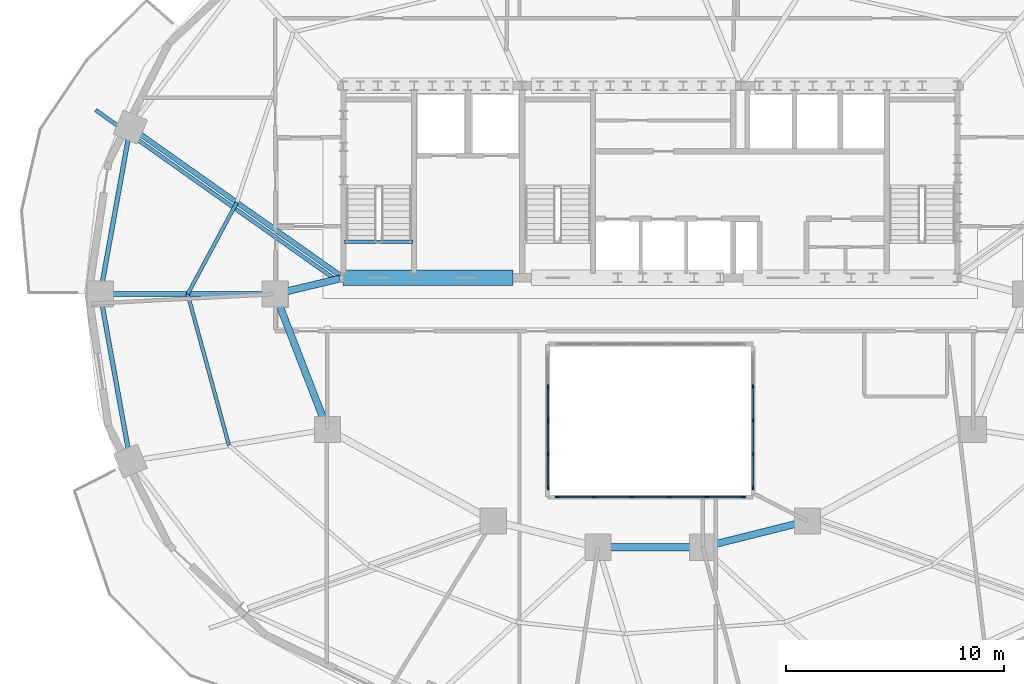
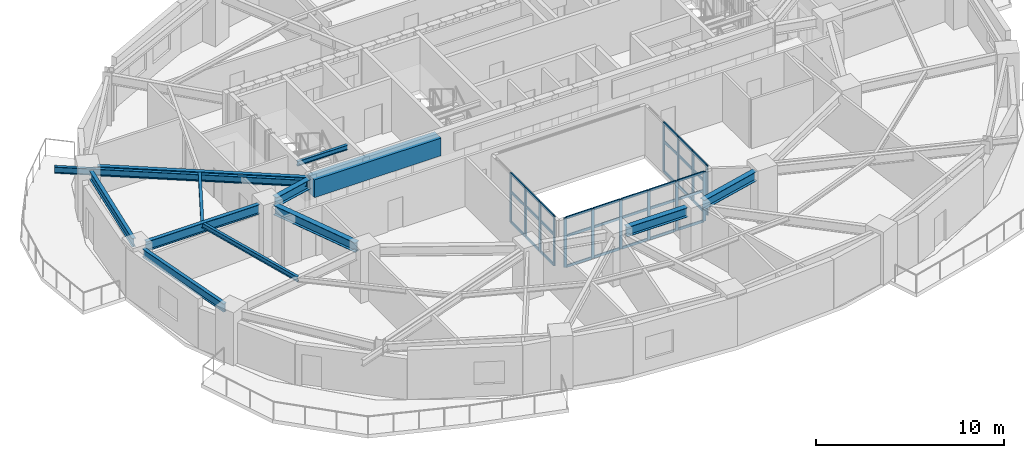
# One storey, part 2 of 11: 47 members, 13 beams, 3 elements without a shape of their own.
"""IFC4 building model written with IfcOpenShell, lengths in metres."""

from ifc_helpers import new_model, si_unit, direction, frame, origin, origin_2d, place, context, subcontext, project, spatial, rectangle, i_section, extrude, material, material_profile, profile_set, type_object, element, aggregate, save


model = new_model("IFC4")

# Units and contexts
model_context = context("Model", 3, precision=1e-05, world=origin(), true_north=direction((0.0, 1.0)))
body_context = subcontext(model_context, "Body", "Model", "MODEL_VIEW")
ifc_project = project(units=[si_unit("LENGTHUNIT", "METRE"), si_unit("AREAUNIT", "SQUARE_METRE"), si_unit("VOLUMEUNIT", "CUBIC_METRE"), si_unit("PLANEANGLEUNIT", "RADIAN"), si_unit("MASSUNIT", "GRAM", prefix="KILO")], contexts=[model_context])

# Site, building, storey
site_placement = place(None, origin())
site = spatial("IfcSite", under=ifc_project, at=site_placement, CompositionType="ELEMENT")
building_placement = place(site_placement, origin())
building = spatial("IfcBuilding", under=site, at=building_placement, Name="Haldorwick Loom Tower", CompositionType="ELEMENT")
storey_placement = place(building_placement, frame((0.0, 0.0, 168.25)))
storey = spatial("IfcBuildingStorey", under=building, at=storey_placement, Name="L45", CompositionType="ELEMENT", Elevation=168.25)

# Curtain wall, members
ifc_material_1 = material(Name="Thermally Broken Anodized Aluminium Curtain Wall Framing", Category="aluminium")
curtain_wall_type = type_object("IfcCurtainWallType", Name="ARC-CW-03", PredefinedType="NOTDEFINED", material=ifc_material_1)
curtain_wall_1_placement = place(storey_placement, origin())
curtain_wall_1 = element("IfcCurtainWall", 1, at=curtain_wall_1_placement, inside=storey, type_object=curtain_wall_type, Name="L45 Atrium Glazed Screen S", PredefinedType="NOTDEFINED")
ifc_material_profile_1 = material_profile(ifc_material_1, rectangle(XDim=0.06591796875, YDim=0.18505859375, at=origin_2d()), Name="ALU_MUL_66X185", Category="aluminium")
ifc_profile_set_1 = profile_set([ifc_material_profile_1], Name="Thermally Broken Anodized Aluminium Curtain Wall Framing")
member_type_1 = type_object("IfcMemberType", Name="ARC-CWM-03", PredefinedType="MULLION", material=ifc_profile_set_1)
member_1_placement = place(storey_placement, frame((40.26708984375, 16.699951171875, 0.0), z_axis=(0.0, 0.0, 1.0), x_axis=(0.0, -1.0, 0.0)))
member_1 = element("IfcMember", 2, at=member_1_placement, type_object=member_type_1, Name="CW-03 mullion 1", PredefinedType="MULLION", context=body_context, shape_type="SweptSolid", body=[
    extrude(rectangle(XDim=0.06591796875, YDim=0.18505859375, at=origin_2d()), origin(), (0.0, 0.0, 1.0), 3.2099609375),
])
member_2_placement = place(storey_placement, frame((38.580078125, 16.699951171875, 0.0), z_axis=(0.0, 0.0, 1.0), x_axis=(0.0, -1.0, 0.0)))
member_2 = element("IfcMember", 3, at=member_2_placement, type_object=member_type_1, Name="CW-03 mullion 2", PredefinedType="MULLION", context=body_context, shape_type="SweptSolid", body=[
    extrude(rectangle(XDim=0.06591796875, YDim=0.18505859375, at=origin_2d()), origin(), (0.0, 0.0, 1.0), 3.2099609375),
])
member_3_placement = place(storey_placement, frame((36.860107421875, 16.699951171875, 0.0), z_axis=(0.0, 0.0, 1.0), x_axis=(0.0, -1.0, 0.0)))
member_3 = element("IfcMember", 4, at=member_3_placement, type_object=member_type_1, Name="CW-03 mullion 3", PredefinedType="MULLION", context=body_context, shape_type="SweptSolid", body=[
    extrude(rectangle(XDim=0.06591796875, YDim=0.18505859375, at=origin_2d()), origin(), (0.0, 0.0, 1.0), 3.2099609375),
])
member_4_placement = place(storey_placement, frame((35.139892578125, 16.699951171875, 0.0), z_axis=(0.0, 0.0, 1.0), x_axis=(0.0, -1.0, 0.0)))
member_4 = element("IfcMember", 5, at=member_4_placement, type_object=member_type_1, Name="CW-03 mullion 4", PredefinedType="MULLION", context=body_context, shape_type="SweptSolid", body=[
    extrude(rectangle(XDim=0.06591796875, YDim=0.18505859375, at=origin_2d()), origin(), (0.0, 0.0, 1.0), 3.2099609375),
])
member_5_placement = place(storey_placement, frame((33.419921875, 16.699951171875, 0.0), z_axis=(0.0, 0.0, 1.0), x_axis=(0.0, -1.0, 0.0)))
member_5 = element("IfcMember", 6, at=member_5_placement, type_object=member_type_1, Name="CW-03 mullion 5", PredefinedType="MULLION", context=body_context, shape_type="SweptSolid", body=[
    extrude(rectangle(XDim=0.06591796875, YDim=0.18505859375, at=origin_2d()), origin(), (0.0, 0.0, 1.0), 3.2099609375),
])
member_6_placement = place(storey_placement, frame((31.73291015625, 16.699951171875, 0.0), z_axis=(0.0, 0.0, 1.0), x_axis=(0.0, -1.0, 0.0)))
member_6 = element("IfcMember", 7, at=member_6_placement, type_object=member_type_1, Name="CW-03 mullion 6", PredefinedType="MULLION", context=body_context, shape_type="SweptSolid", body=[
    extrude(rectangle(XDim=0.06591796875, YDim=0.18505859375, at=origin_2d()), origin(), (0.0, 0.0, 1.0), 3.2099609375),
])

curtain_wall_2_placement = place(storey_placement, origin())
curtain_wall_2 = element("IfcCurtainWall", 8, at=curtain_wall_2_placement, inside=storey, type_object=curtain_wall_type, Name="L45 Atrium Glazed Screen W", PredefinedType="NOTDEFINED")
member_7_placement = place(storey_placement, frame((31.300048828125, 17.133056640625, 0.0), z_axis=(0.0, 0.0, 1.0), x_axis=(-1.0, 0.0, 0.0)))
member_7 = element("IfcMember", 9, at=member_7_placement, type_object=member_type_1, Name="CW-03 mullion 1", PredefinedType="MULLION", context=body_context, shape_type="SweptSolid", body=[
    extrude(rectangle(XDim=0.06591796875, YDim=0.18505859375, at=origin_2d()), origin(), (0.0, 0.0, 1.0), 3.2099609375),
])
member_8_placement = place(storey_placement, frame((31.300048828125, 18.64990234375, 0.0), z_axis=(0.0, 0.0, 1.0), x_axis=(-1.0, 0.0, 0.0)))
member_8 = element("IfcMember", 10, at=member_8_placement, type_object=member_type_1, Name="CW-03 mullion 2", PredefinedType="MULLION", context=body_context, shape_type="SweptSolid", body=[
    extrude(rectangle(XDim=0.06591796875, YDim=0.18505859375, at=origin_2d()), origin(), (0.0, 0.0, 1.0), 3.2099609375),
])
member_9_placement = place(storey_placement, frame((31.300048828125, 20.199951171875, 0.0), z_axis=(0.0, 0.0, 1.0), x_axis=(-1.0, 0.0, 0.0)))
member_9 = element("IfcMember", 11, at=member_9_placement, type_object=member_type_1, Name="CW-03 mullion 3", PredefinedType="MULLION", context=body_context, shape_type="SweptSolid", body=[
    extrude(rectangle(XDim=0.06591796875, YDim=0.18505859375, at=origin_2d()), origin(), (0.0, 0.0, 1.0), 3.2099609375),
])
member_10_placement = place(storey_placement, frame((31.300048828125, 21.75, 0.0), z_axis=(0.0, 0.0, 1.0), x_axis=(-1.0, 0.0, 0.0)))
member_10 = element("IfcMember", 12, at=member_10_placement, type_object=member_type_1, Name="CW-03 mullion 4", PredefinedType="MULLION", context=body_context, shape_type="SweptSolid", body=[
    extrude(rectangle(XDim=0.06591796875, YDim=0.18505859375, at=origin_2d()), origin(), (0.0, 0.0, 1.0), 3.2099609375),
])

curtain_wall_3_placement = place(storey_placement, origin())
curtain_wall_3 = element("IfcCurtainWall", 13, at=curtain_wall_3_placement, inside=storey, type_object=curtain_wall_type, Name="L45 Atrium Glazed Screen E", PredefinedType="NOTDEFINED")
member_11_placement = place(storey_placement, frame((40.699951171875, 21.75, 0.0), z_axis=(0.0, 0.0, 1.0), x_axis=(1.0, 0.0, 0.0)))
member_11 = element("IfcMember", 14, at=member_11_placement, type_object=member_type_1, Name="CW-03 mullion 2", PredefinedType="MULLION", context=body_context, shape_type="SweptSolid", body=[
    extrude(rectangle(XDim=0.06591796875, YDim=0.18505859375, at=origin_2d()), origin(), (0.0, 0.0, 1.0), 3.2099609375),
])
member_12_placement = place(storey_placement, frame((40.699951171875, 20.199951171875, 0.0), z_axis=(0.0, 0.0, 1.0), x_axis=(1.0, 0.0, 0.0)))
member_12 = element("IfcMember", 15, at=member_12_placement, type_object=member_type_1, Name="CW-03 mullion 3", PredefinedType="MULLION", context=body_context, shape_type="SweptSolid", body=[
    extrude(rectangle(XDim=0.06591796875, YDim=0.18505859375, at=origin_2d()), origin(), (0.0, 0.0, 1.0), 3.2099609375),
])
member_13_placement = place(storey_placement, frame((40.699951171875, 18.64990234375, 0.0), z_axis=(0.0, 0.0, 1.0), x_axis=(1.0, 0.0, 0.0)))
member_13 = element("IfcMember", 16, at=member_13_placement, type_object=member_type_1, Name="CW-03 mullion 4", PredefinedType="MULLION", context=body_context, shape_type="SweptSolid", body=[
    extrude(rectangle(XDim=0.06591796875, YDim=0.18505859375, at=origin_2d()), origin(), (0.0, 0.0, 1.0), 3.2099609375),
])
member_14_placement = place(storey_placement, frame((40.699951171875, 17.133056640625, 0.0), z_axis=(0.0, 0.0, 1.0), x_axis=(1.0, 0.0, 0.0)))
member_14 = element("IfcMember", 17, at=member_14_placement, type_object=member_type_1, Name="CW-03 mullion 5", PredefinedType="MULLION", context=body_context, shape_type="SweptSolid", body=[
    extrude(rectangle(XDim=0.06591796875, YDim=0.18505859375, at=origin_2d()), origin(), (0.0, 0.0, 1.0), 3.2099609375),
])

# Member
ifc_material_profile_2 = material_profile(ifc_material_1, rectangle(XDim=0.06591796875, YDim=0.1650390625, at=origin_2d()), Name="ALU_TRN_66X165", Category="aluminium")
ifc_profile_set_2 = profile_set([ifc_material_profile_2], Name="Thermally Broken Anodized Aluminium Curtain Wall Framing")
member_type_2 = type_object("IfcMemberType", Name="ARC-CWT-03", PredefinedType="USERDEFINED", material=ifc_profile_set_2)
member_15_placement = place(storey_placement, frame((40.23388671875, 16.699951171875, 0.032958984375), z_axis=(-1.0, 0.0, 0.0), x_axis=(0.0, -1.0, 0.0)))
member_15 = element("IfcMember", 18, at=member_15_placement, type_object=member_type_2, Name="CW-03 transom 1.1", ObjectType="TRANSOM", PredefinedType="USERDEFINED", context=body_context, shape_type="SweptSolid", body=[
    extrude(rectangle(XDim=0.06591796875, YDim=0.1650390625, at=origin_2d()), origin(), (0.0, 0.0, 1.0), 1.620849609375),
])

member_16_placement = place(storey_placement, frame((40.23388671875, 16.699951171875, 2.0), z_axis=(-1.0, 0.0, 0.0), x_axis=(0.0, -1.0, 0.0)))
member_16 = element("IfcMember", 19, at=member_16_placement, type_object=member_type_2, Name="CW-03 transom 1.2", ObjectType="TRANSOM", PredefinedType="USERDEFINED", context=body_context, shape_type="SweptSolid", body=[
    extrude(rectangle(XDim=0.06591796875, YDim=0.1650390625, at=origin_2d()), origin(), (0.0, 0.0, 1.0), 1.620849609375),
])

member_17_placement = place(storey_placement, frame((40.23388671875, 16.699951171875, 3.177001953125), z_axis=(-1.0, 0.0, 0.0), x_axis=(0.0, -1.0, 0.0)))
member_17 = element("IfcMember", 20, at=member_17_placement, type_object=member_type_2, Name="CW-03 transom 1.3", ObjectType="TRANSOM", PredefinedType="USERDEFINED", context=body_context, shape_type="SweptSolid", body=[
    extrude(rectangle(XDim=0.06591796875, YDim=0.1650390625, at=origin_2d()), origin(), (0.0, 0.0, 1.0), 1.620849609375),
])

member_18_placement = place(storey_placement, frame((38.547119140625, 16.699951171875, 0.032958984375), z_axis=(-1.0, 0.0, 0.0), x_axis=(0.0, -1.0, 0.0)))
member_18 = element("IfcMember", 21, at=member_18_placement, type_object=member_type_2, Name="CW-03 transom 2.1", ObjectType="TRANSOM", PredefinedType="USERDEFINED", context=body_context, shape_type="SweptSolid", body=[
    extrude(rectangle(XDim=0.06591796875, YDim=0.1650390625, at=origin_2d()), origin(), (0.0, 0.0, 1.0), 1.654052734375),
])

member_19_placement = place(storey_placement, frame((38.547119140625, 16.699951171875, 2.0), z_axis=(-1.0, 0.0, 0.0), x_axis=(0.0, -1.0, 0.0)))
member_19 = element("IfcMember", 22, at=member_19_placement, type_object=member_type_2, Name="CW-03 transom 2.2", ObjectType="TRANSOM", PredefinedType="USERDEFINED", context=body_context, shape_type="SweptSolid", body=[
    extrude(rectangle(XDim=0.06591796875, YDim=0.1650390625, at=origin_2d()), origin(), (0.0, 0.0, 1.0), 1.654052734375),
])

member_20_placement = place(storey_placement, frame((38.547119140625, 16.699951171875, 3.177001953125), z_axis=(-1.0, 0.0, 0.0), x_axis=(0.0, -1.0, 0.0)))
member_20 = element("IfcMember", 23, at=member_20_placement, type_object=member_type_2, Name="CW-03 transom 2.3", ObjectType="TRANSOM", PredefinedType="USERDEFINED", context=body_context, shape_type="SweptSolid", body=[
    extrude(rectangle(XDim=0.06591796875, YDim=0.1650390625, at=origin_2d()), origin(), (0.0, 0.0, 1.0), 1.654052734375),
])

member_21_placement = place(storey_placement, frame((36.826904296875, 16.699951171875, 0.032958984375), z_axis=(-1.0, 0.0, 0.0), x_axis=(0.0, -1.0, 0.0)))
member_21 = element("IfcMember", 24, at=member_21_placement, type_object=member_type_2, Name="CW-03 transom 3.1", ObjectType="TRANSOM", PredefinedType="USERDEFINED", context=body_context, shape_type="SweptSolid", body=[
    extrude(rectangle(XDim=0.06591796875, YDim=0.1650390625, at=origin_2d()), origin(), (0.0, 0.0, 1.0), 1.65380859375),
])

member_22_placement = place(storey_placement, frame((36.826904296875, 16.699951171875, 2.0), z_axis=(-1.0, 0.0, 0.0), x_axis=(0.0, -1.0, 0.0)))
member_22 = element("IfcMember", 25, at=member_22_placement, type_object=member_type_2, Name="CW-03 transom 3.2", ObjectType="TRANSOM", PredefinedType="USERDEFINED", context=body_context, shape_type="SweptSolid", body=[
    extrude(rectangle(XDim=0.06591796875, YDim=0.1650390625, at=origin_2d()), origin(), (0.0, 0.0, 1.0), 1.65380859375),
])

member_23_placement = place(storey_placement, frame((36.826904296875, 16.699951171875, 3.177001953125), z_axis=(-1.0, 0.0, 0.0), x_axis=(0.0, -1.0, 0.0)))
member_23 = element("IfcMember", 26, at=member_23_placement, type_object=member_type_2, Name="CW-03 transom 3.3", ObjectType="TRANSOM", PredefinedType="USERDEFINED", context=body_context, shape_type="SweptSolid", body=[
    extrude(rectangle(XDim=0.06591796875, YDim=0.1650390625, at=origin_2d()), origin(), (0.0, 0.0, 1.0), 1.65380859375),
])

member_24_placement = place(storey_placement, frame((35.10693359375, 16.699951171875, 0.032958984375), z_axis=(-1.0, 0.0, 0.0), x_axis=(0.0, -1.0, 0.0)))
member_24 = element("IfcMember", 27, at=member_24_placement, type_object=member_type_2, Name="CW-03 transom 4.1", ObjectType="TRANSOM", PredefinedType="USERDEFINED", context=body_context, shape_type="SweptSolid", body=[
    extrude(rectangle(XDim=0.06591796875, YDim=0.1650390625, at=origin_2d()), origin(), (0.0, 0.0, 1.0), 1.654052734375),
])

member_25_placement = place(storey_placement, frame((35.10693359375, 16.699951171875, 2.0), z_axis=(-1.0, 0.0, 0.0), x_axis=(0.0, -1.0, 0.0)))
member_25 = element("IfcMember", 28, at=member_25_placement, type_object=member_type_2, Name="CW-03 transom 4.2", ObjectType="TRANSOM", PredefinedType="USERDEFINED", context=body_context, shape_type="SweptSolid", body=[
    extrude(rectangle(XDim=0.06591796875, YDim=0.1650390625, at=origin_2d()), origin(), (0.0, 0.0, 1.0), 1.654052734375),
])

member_26_placement = place(storey_placement, frame((35.10693359375, 16.699951171875, 3.177001953125), z_axis=(-1.0, 0.0, 0.0), x_axis=(0.0, -1.0, 0.0)))
member_26 = element("IfcMember", 29, at=member_26_placement, type_object=member_type_2, Name="CW-03 transom 4.3", ObjectType="TRANSOM", PredefinedType="USERDEFINED", context=body_context, shape_type="SweptSolid", body=[
    extrude(rectangle(XDim=0.06591796875, YDim=0.1650390625, at=origin_2d()), origin(), (0.0, 0.0, 1.0), 1.654052734375),
])

member_27_placement = place(storey_placement, frame((33.386962890625, 16.699951171875, 0.032958984375), z_axis=(-1.0, 0.0, 0.0), x_axis=(0.0, -1.0, 0.0)))
member_27 = element("IfcMember", 30, at=member_27_placement, type_object=member_type_2, Name="CW-03 transom 5.1", ObjectType="TRANSOM", PredefinedType="USERDEFINED", context=body_context, shape_type="SweptSolid", body=[
    extrude(rectangle(XDim=0.06591796875, YDim=0.1650390625, at=origin_2d()), origin(), (0.0, 0.0, 1.0), 1.620849609375),
])

member_28_placement = place(storey_placement, frame((33.386962890625, 16.699951171875, 2.0), z_axis=(-1.0, 0.0, 0.0), x_axis=(0.0, -1.0, 0.0)))
member_28 = element("IfcMember", 31, at=member_28_placement, type_object=member_type_2, Name="CW-03 transom 5.2", ObjectType="TRANSOM", PredefinedType="USERDEFINED", context=body_context, shape_type="SweptSolid", body=[
    extrude(rectangle(XDim=0.06591796875, YDim=0.1650390625, at=origin_2d()), origin(), (0.0, 0.0, 1.0), 1.620849609375),
])

member_29_placement = place(storey_placement, frame((33.386962890625, 16.699951171875, 3.177001953125), z_axis=(-1.0, 0.0, 0.0), x_axis=(0.0, -1.0, 0.0)))
member_29 = element("IfcMember", 32, at=member_29_placement, type_object=member_type_2, Name="CW-03 transom 5.3", ObjectType="TRANSOM", PredefinedType="USERDEFINED", context=body_context, shape_type="SweptSolid", body=[
    extrude(rectangle(XDim=0.06591796875, YDim=0.1650390625, at=origin_2d()), origin(), (0.0, 0.0, 1.0), 1.620849609375),
])

aggregate(curtain_wall_1, [member_1, member_2, member_3, member_4, member_5, member_6, member_15, member_16, member_17, member_18, member_19, member_20, member_21, member_22, member_23, member_24, member_25, member_26, member_27, member_28, member_29])

member_30_placement = place(storey_placement, frame((31.300048828125, 17.166015625, 0.032958984375), z_axis=(0.0, 1.0, 0.0), x_axis=(-1.0, 0.0, 0.0)))
member_30 = element("IfcMember", 33, at=member_30_placement, type_object=member_type_2, Name="CW-03 transom 1.1", ObjectType="TRANSOM", PredefinedType="USERDEFINED", context=body_context, shape_type="SweptSolid", body=[
    extrude(rectangle(XDim=0.06591796875, YDim=0.1650390625, at=origin_2d()), origin(), (0.0, 0.0, 1.0), 1.450927734375),
])

member_31_placement = place(storey_placement, frame((31.300048828125, 17.166015625, 2.0), z_axis=(0.0, 1.0, 0.0), x_axis=(-1.0, 0.0, 0.0)))
member_31 = element("IfcMember", 34, at=member_31_placement, type_object=member_type_2, Name="CW-03 transom 1.2", ObjectType="TRANSOM", PredefinedType="USERDEFINED", context=body_context, shape_type="SweptSolid", body=[
    extrude(rectangle(XDim=0.06591796875, YDim=0.1650390625, at=origin_2d()), origin(), (0.0, 0.0, 1.0), 1.450927734375),
])

member_32_placement = place(storey_placement, frame((31.300048828125, 17.166015625, 3.177001953125), z_axis=(0.0, 1.0, 0.0), x_axis=(-1.0, 0.0, 0.0)))
member_32 = element("IfcMember", 35, at=member_32_placement, type_object=member_type_2, Name="CW-03 transom 1.3", ObjectType="TRANSOM", PredefinedType="USERDEFINED", context=body_context, shape_type="SweptSolid", body=[
    extrude(rectangle(XDim=0.06591796875, YDim=0.1650390625, at=origin_2d()), origin(), (0.0, 0.0, 1.0), 1.450927734375),
])

member_33_placement = place(storey_placement, frame((31.300048828125, 18.68310546875, 0.032958984375), z_axis=(0.0, 1.0, 0.0), x_axis=(-1.0, 0.0, 0.0)))
member_33 = element("IfcMember", 36, at=member_33_placement, type_object=member_type_2, Name="CW-03 transom 2.1", ObjectType="TRANSOM", PredefinedType="USERDEFINED", context=body_context, shape_type="SweptSolid", body=[
    extrude(rectangle(XDim=0.06591796875, YDim=0.1650390625, at=origin_2d()), origin(), (0.0, 0.0, 1.0), 1.48388671875),
])

member_34_placement = place(storey_placement, frame((31.300048828125, 18.68310546875, 2.0), z_axis=(0.0, 1.0, 0.0), x_axis=(-1.0, 0.0, 0.0)))
member_34 = element("IfcMember", 37, at=member_34_placement, type_object=member_type_2, Name="CW-03 transom 2.2", ObjectType="TRANSOM", PredefinedType="USERDEFINED", context=body_context, shape_type="SweptSolid", body=[
    extrude(rectangle(XDim=0.06591796875, YDim=0.1650390625, at=origin_2d()), origin(), (0.0, 0.0, 1.0), 1.48388671875),
])

member_35_placement = place(storey_placement, frame((31.300048828125, 18.68310546875, 3.177001953125), z_axis=(0.0, 1.0, 0.0), x_axis=(-1.0, 0.0, 0.0)))
member_35 = element("IfcMember", 38, at=member_35_placement, type_object=member_type_2, Name="CW-03 transom 2.3", ObjectType="TRANSOM", PredefinedType="USERDEFINED", context=body_context, shape_type="SweptSolid", body=[
    extrude(rectangle(XDim=0.06591796875, YDim=0.1650390625, at=origin_2d()), origin(), (0.0, 0.0, 1.0), 1.48388671875),
])

member_36_placement = place(storey_placement, frame((31.300048828125, 20.23291015625, 0.032958984375), z_axis=(0.0, 1.0, 0.0), x_axis=(-1.0, 0.0, 0.0)))
member_36 = element("IfcMember", 39, at=member_36_placement, type_object=member_type_2, Name="CW-03 transom 3.1", ObjectType="TRANSOM", PredefinedType="USERDEFINED", context=body_context, shape_type="SweptSolid", body=[
    extrude(rectangle(XDim=0.06591796875, YDim=0.1650390625, at=origin_2d()), origin(), (0.0, 0.0, 1.0), 1.484130859375),
])

member_37_placement = place(storey_placement, frame((31.300048828125, 20.23291015625, 2.0), z_axis=(0.0, 1.0, 0.0), x_axis=(-1.0, 0.0, 0.0)))
member_37 = element("IfcMember", 40, at=member_37_placement, type_object=member_type_2, Name="CW-03 transom 3.2", ObjectType="TRANSOM", PredefinedType="USERDEFINED", context=body_context, shape_type="SweptSolid", body=[
    extrude(rectangle(XDim=0.06591796875, YDim=0.1650390625, at=origin_2d()), origin(), (0.0, 0.0, 1.0), 1.484130859375),
])

member_38_placement = place(storey_placement, frame((31.300048828125, 20.23291015625, 3.177001953125), z_axis=(0.0, 1.0, 0.0), x_axis=(-1.0, 0.0, 0.0)))
member_38 = element("IfcMember", 41, at=member_38_placement, type_object=member_type_2, Name="CW-03 transom 3.3", ObjectType="TRANSOM", PredefinedType="USERDEFINED", context=body_context, shape_type="SweptSolid", body=[
    extrude(rectangle(XDim=0.06591796875, YDim=0.1650390625, at=origin_2d()), origin(), (0.0, 0.0, 1.0), 1.484130859375),
])

aggregate(curtain_wall_2, [member_7, member_8, member_9, member_10, member_30, member_31, member_32, member_33, member_34, member_35, member_36, member_37, member_38])

member_39_placement = place(storey_placement, frame((40.699951171875, 21.717041015625, 0.032958984375), z_axis=(0.0, -1.0, 0.0), x_axis=(1.0, 0.0, 0.0)))
member_39 = element("IfcMember", 42, at=member_39_placement, type_object=member_type_2, Name="CW-03 transom 2.1", ObjectType="TRANSOM", PredefinedType="USERDEFINED", context=body_context, shape_type="SweptSolid", body=[
    extrude(rectangle(XDim=0.06591796875, YDim=0.1650390625, at=origin_2d()), origin(), (0.0, 0.0, 1.0), 1.484130859375),
])

member_40_placement = place(storey_placement, frame((40.699951171875, 21.717041015625, 2.0), z_axis=(0.0, -1.0, 0.0), x_axis=(1.0, 0.0, 0.0)))
member_40 = element("IfcMember", 43, at=member_40_placement, type_object=member_type_2, Name="CW-03 transom 2.2", ObjectType="TRANSOM", PredefinedType="USERDEFINED", context=body_context, shape_type="SweptSolid", body=[
    extrude(rectangle(XDim=0.06591796875, YDim=0.1650390625, at=origin_2d()), origin(), (0.0, 0.0, 1.0), 1.484130859375),
])

member_41_placement = place(storey_placement, frame((40.699951171875, 21.717041015625, 3.177001953125), z_axis=(0.0, -1.0, 0.0), x_axis=(1.0, 0.0, 0.0)))
member_41 = element("IfcMember", 44, at=member_41_placement, type_object=member_type_2, Name="CW-03 transom 2.3", ObjectType="TRANSOM", PredefinedType="USERDEFINED", context=body_context, shape_type="SweptSolid", body=[
    extrude(rectangle(XDim=0.06591796875, YDim=0.1650390625, at=origin_2d()), origin(), (0.0, 0.0, 1.0), 1.484130859375),
])

member_42_placement = place(storey_placement, frame((40.699951171875, 20.1669921875, 0.032958984375), z_axis=(0.0, -1.0, 0.0), x_axis=(1.0, 0.0, 0.0)))
member_42 = element("IfcMember", 45, at=member_42_placement, type_object=member_type_2, Name="CW-03 transom 3.1", ObjectType="TRANSOM", PredefinedType="USERDEFINED", context=body_context, shape_type="SweptSolid", body=[
    extrude(rectangle(XDim=0.06591796875, YDim=0.1650390625, at=origin_2d()), origin(), (0.0, 0.0, 1.0), 1.48388671875),
])

member_43_placement = place(storey_placement, frame((40.699951171875, 20.1669921875, 2.0), z_axis=(0.0, -1.0, 0.0), x_axis=(1.0, 0.0, 0.0)))
member_43 = element("IfcMember", 46, at=member_43_placement, type_object=member_type_2, Name="CW-03 transom 3.2", ObjectType="TRANSOM", PredefinedType="USERDEFINED", context=body_context, shape_type="SweptSolid", body=[
    extrude(rectangle(XDim=0.06591796875, YDim=0.1650390625, at=origin_2d()), origin(), (0.0, 0.0, 1.0), 1.48388671875),
])

member_44_placement = place(storey_placement, frame((40.699951171875, 20.1669921875, 3.177001953125), z_axis=(0.0, -1.0, 0.0), x_axis=(1.0, 0.0, 0.0)))
member_44 = element("IfcMember", 47, at=member_44_placement, type_object=member_type_2, Name="CW-03 transom 3.3", ObjectType="TRANSOM", PredefinedType="USERDEFINED", context=body_context, shape_type="SweptSolid", body=[
    extrude(rectangle(XDim=0.06591796875, YDim=0.1650390625, at=origin_2d()), origin(), (0.0, 0.0, 1.0), 1.48388671875),
])

member_45_placement = place(storey_placement, frame((40.699951171875, 18.616943359375, 0.032958984375), z_axis=(0.0, -1.0, 0.0), x_axis=(1.0, 0.0, 0.0)))
member_45 = element("IfcMember", 48, at=member_45_placement, type_object=member_type_2, Name="CW-03 transom 4.1", ObjectType="TRANSOM", PredefinedType="USERDEFINED", context=body_context, shape_type="SweptSolid", body=[
    extrude(rectangle(XDim=0.06591796875, YDim=0.1650390625, at=origin_2d()), origin(), (0.0, 0.0, 1.0), 1.450927734375),
])

member_46_placement = place(storey_placement, frame((40.699951171875, 18.616943359375, 2.0), z_axis=(0.0, -1.0, 0.0), x_axis=(1.0, 0.0, 0.0)))
member_46 = element("IfcMember", 49, at=member_46_placement, type_object=member_type_2, Name="CW-03 transom 4.2", ObjectType="TRANSOM", PredefinedType="USERDEFINED", context=body_context, shape_type="SweptSolid", body=[
    extrude(rectangle(XDim=0.06591796875, YDim=0.1650390625, at=origin_2d()), origin(), (0.0, 0.0, 1.0), 1.450927734375),
])

member_47_placement = place(storey_placement, frame((40.699951171875, 18.616943359375, 3.177001953125), z_axis=(0.0, -1.0, 0.0), x_axis=(1.0, 0.0, 0.0)))
member_47 = element("IfcMember", 50, at=member_47_placement, type_object=member_type_2, Name="CW-03 transom 4.3", ObjectType="TRANSOM", PredefinedType="USERDEFINED", context=body_context, shape_type="SweptSolid", body=[
    extrude(rectangle(XDim=0.06591796875, YDim=0.1650390625, at=origin_2d()), origin(), (0.0, 0.0, 1.0), 1.450927734375),
])

aggregate(curtain_wall_3, [member_11, member_12, member_13, member_14, member_39, member_40, member_41, member_42, member_43, member_44, member_45, member_46, member_47])

# Beams
ifc_material_2 = material(Name="Steel CSA G40.21 350W", Category="steel")
ifc_material_profile_3 = material_profile(ifc_material_2, i_section(OverallWidth=0.179931640625, OverallDepth=0.4130859375, WebThickness=0.009765625, FlangeThickness=0.01611328125, at=origin_2d()), Name="W410X74", Category="steel")
ifc_profile_set_3 = profile_set([ifc_material_profile_3], Name="Steel CSA G40.21 350W")
beam_type_1 = type_object("IfcBeamType", Name="STR-BM-BAL410", PredefinedType="BEAM", material=ifc_profile_set_3)
beam_1_placement = place(storey_placement, frame((21.623046875, 26.6240234375, 3.00341796875), z_axis=(-0.816570167076, 0.57724618859, 0.0), x_axis=(-0.57724618859, -0.816570167076, 0.0)))
element("IfcBeam", 51, at=beam_1_placement, inside=storey, type_object=beam_type_1, Name="L45 Continuous Back-Spanned Balcony Beam 3", PredefinedType="BEAM", context=body_context, shape_type="SweptSolid", body=[
    extrude(i_section(OverallWidth=0.179931640625, OverallDepth=0.4130859375, WebThickness=0.009765625, FlangeThickness=0.01611328125, at=origin_2d()), origin(), (0.0, 0.0, 1.0), 13.531982421875),
])
ifc_material_3 = material(Name="Concrete C60 (60 MPa)", Category="concrete")
ifc_material_profile_4 = material_profile(ifc_material_3, rectangle(XDim=0.699951171875, YDim=1.14990234375, at=origin_2d()), Name="RC700X1150", Category="concrete")
ifc_profile_set_4 = profile_set([ifc_material_profile_4], Name="Concrete C60 (60 MPa)")
beam_type_2 = type_object("IfcBeamType", Name="STR-BM-CB1150", PredefinedType="LINTEL", material=ifc_profile_set_4)
beam_2_placement = place(storey_placement, frame((21.89990234375, 26.75, 2.635009765625), z_axis=(1.0, 0.0, 0.0), x_axis=(0.0, 1.0, 0.0)))
element("IfcBeam", 52, at=beam_2_placement, inside=storey, type_object=beam_type_2, Name="L45 Core Coupling Beam CB-S1", PredefinedType="LINTEL", context=body_context, shape_type="SweptSolid", body=[
    extrude(rectangle(XDim=0.699951171875, YDim=1.14990234375, at=origin_2d()), origin(), (0.0, 0.0, 1.0), 7.800048828125),
])
ifc_material_profile_5 = material_profile(ifc_material_2, i_section(OverallWidth=0.166015625, OverallDepth=0.31298828125, WebThickness=0.006591796875, FlangeThickness=0.01123046875, at=origin_2d()), Name="W310X45", Category="steel")
ifc_profile_set_5 = profile_set([ifc_material_profile_5], Name="Steel CSA G40.21 350W")
beam_type_3 = type_object("IfcBeamType", Name="STR-BM-J310", PredefinedType="JOIST", material=ifc_profile_set_5)
beam_3_placement = place(storey_placement, frame((17.046875, 30.201904296875, 3.053466796875), z_axis=(-0.472930162238, -0.881099915813, 0.0), x_axis=(0.881099915813, -0.472930162238, 0.0)))
element("IfcBeam", 53, at=beam_3_placement, inside=storey, type_object=beam_type_3, Name="L45 Mid-Bay Secondary Joist 8", PredefinedType="JOIST", context=body_context, shape_type="SweptSolid", body=[
    extrude(i_section(OverallWidth=0.166015625, OverallDepth=0.31298828125, WebThickness=0.006591796875, FlangeThickness=0.01123046875, at=origin_2d()), origin(), (0.0, 0.0, 1.0), 4.76904296875),
])
beam_4_placement = place(storey_placement, frame((14.79150390625, 26.0, 3.053466796875), z_axis=(0.263272762578, -0.964721437766, 0.0), x_axis=(0.964721437766, 0.263272762578, 0.0)))
element("IfcBeam", 54, at=beam_4_placement, inside=storey, type_object=beam_type_3, Name="L45 Mid-Bay Secondary Joist 9", PredefinedType="JOIST", context=body_context, shape_type="SweptSolid", body=[
    extrude(i_section(OverallWidth=0.166015625, OverallDepth=0.31298828125, WebThickness=0.006591796875, FlangeThickness=0.01123046875, at=origin_2d()), origin(), (0.0, 0.0, 1.0), 7.180419921875),
])
ifc_material_profile_6 = material_profile(ifc_material_2, i_section(OverallWidth=0.2119140625, OverallDepth=0.5439453125, WebThickness=0.01318359375, FlangeThickness=0.021240234375, at=origin_2d()), Name="W530X123", Category="steel")
ifc_profile_set_6 = profile_set([ifc_material_profile_6], Name="Steel CSA G40.21 350W")
beam_type_4 = type_object("IfcBeamType", Name="STR-BM-SP530", PredefinedType="SPANDREL", material=ifc_profile_set_6)
for number, where, z_axis, x_axis, name in (
    (55, (12.071533203125, 33.14208984375, 2.93798828125), (-0.177558730702, -0.984110205796, 0.0), (0.984110205796, -0.177558730702, 0.0), "L45 Perimeter Spandrel 8"),
    (56, (10.875244140625, 25.48828125, 2.93798828125), (0.177558730702, -0.984110205796, 0.0), (0.984110205796, 0.177558730702, 0.0), "L45 Perimeter Spandrel 9"),
):
    element("IfcBeam", number, at=place(storey_placement, frame(where, z_axis=z_axis, x_axis=x_axis)), inside=storey, type_object=beam_type_4, Name=name, PredefinedType="SPANDREL", context=body_context, shape_type="SweptSolid", body=[
        extrude(i_section(OverallWidth=0.2119140625, OverallDepth=0.5439453125, WebThickness=0.01318359375, FlangeThickness=0.021240234375, at=origin_2d()), origin(), (0.0, 0.0, 1.0), 6.737548828125),
    ])
ifc_material_profile_7 = material_profile(ifc_material_2, i_section(OverallWidth=0.166015625, OverallDepth=0.31298828125, WebThickness=0.006591796875, FlangeThickness=0.01123046875, at=origin_2d()), Name="W310X45", Category="steel")
ifc_profile_set_7 = profile_set([ifc_material_profile_7], Name="Steel CSA G40.21 350W")
beam_type_5 = type_object("IfcBeamType", Name="STR-BM-STRM", PredefinedType="BEAM", material=ifc_profile_set_7)
beam_5_placement = place(storey_placement, frame((21.989990234375, 28.39990234375, 3.053466796875), z_axis=(1.0, 0.0, 0.0), x_axis=(0.0, 1.0, 0.0)))
element("IfcBeam", 57, at=beam_5_placement, inside=storey, type_object=beam_type_5, Name="L45 Stair ST-01 Landing Edge Trimmer", PredefinedType="BEAM", context=body_context, shape_type="SweptSolid", body=[
    extrude(i_section(OverallWidth=0.166015625, OverallDepth=0.31298828125, WebThickness=0.006591796875, FlangeThickness=0.01123046875, at=origin_2d()), origin(), (0.0, 0.0, 1.0), 3.1201171875),
])
ifc_material_profile_8 = material_profile(ifc_material_2, i_section(OverallWidth=0.324951171875, OverallDepth=0.615966796875, WebThickness=0.013916015625, FlangeThickness=0.021484375, at=origin_2d()), Name="W610X174", Category="steel")
ifc_profile_set_8 = profile_set([ifc_material_profile_8], Name="Steel CSA G40.21 350W")
beam_type_6 = type_object("IfcBeamType", Name="STR-BM-W610A", PredefinedType="BEAM", material=ifc_profile_set_8)
beam_6_placement = place(storey_placement, frame((42.695556640625, 15.473876953125, 2.902099609375), z_axis=(-0.970142500145, -0.242535625036, 0.0), x_axis=(0.242535625036, -0.970142500145, 0.0)))
element("IfcBeam", 58, at=beam_6_placement, inside=storey, type_object=beam_type_6, Name="L45 Inner Ring Girder 4", PredefinedType="BEAM", context=body_context, shape_type="SweptSolid", body=[
    extrude(i_section(OverallWidth=0.324951171875, OverallDepth=0.615966796875, WebThickness=0.013916015625, FlangeThickness=0.021484375, at=origin_2d()), origin(), (0.0, 0.0, 1.0), 3.90771484375),
])
beam_7_placement = place(storey_placement, frame((37.8798828125, 14.39990234375, 2.902099609375), z_axis=(-1.0, 0.0, 0.0), x_axis=(0.0, -1.0, 0.0)))
element("IfcBeam", 59, at=beam_7_placement, inside=storey, type_object=beam_type_6, Name="L45 Inner Ring Girder 5", PredefinedType="BEAM", context=body_context, shape_type="SweptSolid", body=[
    extrude(i_section(OverallWidth=0.324951171875, OverallDepth=0.615966796875, WebThickness=0.013916015625, FlangeThickness=0.021484375, at=origin_2d()), origin(), (0.0, 0.0, 1.0), 3.759765625),
])
beam_8_placement = place(storey_placement, frame((21.01220703125, 20.284912109375, 2.902099609375), z_axis=(-0.360964792353, 0.93257944363, 0.0), x_axis=(-0.93257944363, -0.360964792353, 0.0)))
element("IfcBeam", 60, at=beam_8_placement, inside=storey, type_object=beam_type_6, Name="L45 Inner Ring Girder 8", PredefinedType="BEAM", context=body_context, shape_type="SweptSolid", body=[
    extrude(i_section(OverallWidth=0.324951171875, OverallDepth=0.615966796875, WebThickness=0.013916015625, FlangeThickness=0.021484375, at=origin_2d()), origin(), (0.0, 0.0, 1.0), 5.6083984375),
])
beam_9_placement = place(storey_placement, frame((19.3056640625, 26.12109375, 2.902099609375), z_axis=(0.97246637463, 0.233043236789, 0.0), x_axis=(-0.233043236789, 0.97246637463, 0.0)))
element("IfcBeam", 61, at=beam_9_placement, inside=storey, type_object=beam_type_6, Name="L45 Inner Ring Girder 9", PredefinedType="BEAM", context=body_context, shape_type="SweptSolid", body=[
    extrude(i_section(OverallWidth=0.324951171875, OverallDepth=0.615966796875, WebThickness=0.013916015625, FlangeThickness=0.021484375, at=origin_2d()), origin(), (0.0, 0.0, 1.0), 2.5205078125),
])
ifc_material_profile_9 = material_profile(ifc_material_2, i_section(OverallWidth=0.22998046875, OverallDepth=0.616943359375, WebThickness=0.01318359375, FlangeThickness=0.022216796875, at=origin_2d()), Name="W610X140", Category="steel")
ifc_profile_set_9 = profile_set([ifc_material_profile_9], Name="Steel CSA G40.21 350W")
beam_type_7 = type_object("IfcBeamType", Name="STR-BM-W610B", PredefinedType="BEAM", material=ifc_profile_set_9)
beam_10_placement = place(storey_placement, frame((21.78466796875, 26.852783203125, 2.901611328125), z_axis=(-0.816581374163, 0.577230334763, 0.0), x_axis=(-0.577230334763, -0.816581374163, 0.0)))
element("IfcBeam", 62, at=beam_10_placement, inside=storey, type_object=beam_type_7, Name="L45 Radial Floor Girder 8", PredefinedType="BEAM", context=body_context, shape_type="SweptSolid", body=[
    extrude(i_section(OverallWidth=0.22998046875, OverallDepth=0.616943359375, WebThickness=0.01318359375, FlangeThickness=0.022216796875, at=origin_2d()), origin(), (0.0, 0.0, 1.0), 11.261962890625),
])
beam_11_placement = place(storey_placement, frame((18.280029296875, 26.0, 2.901611328125), z_axis=(-1.0, 0.0, 0.0), x_axis=(0.0, -1.0, 0.0)))
element("IfcBeam", 63, at=beam_11_placement, inside=storey, type_object=beam_type_7, Name="L45 Radial Floor Girder 9", PredefinedType="BEAM", context=body_context, shape_type="SweptSolid", body=[
    extrude(i_section(OverallWidth=0.22998046875, OverallDepth=0.616943359375, WebThickness=0.01318359375, FlangeThickness=0.022216796875, at=origin_2d()), origin(), (0.0, 0.0, 1.0), 6.97705078125),
])

save(model, "model.ifc")
